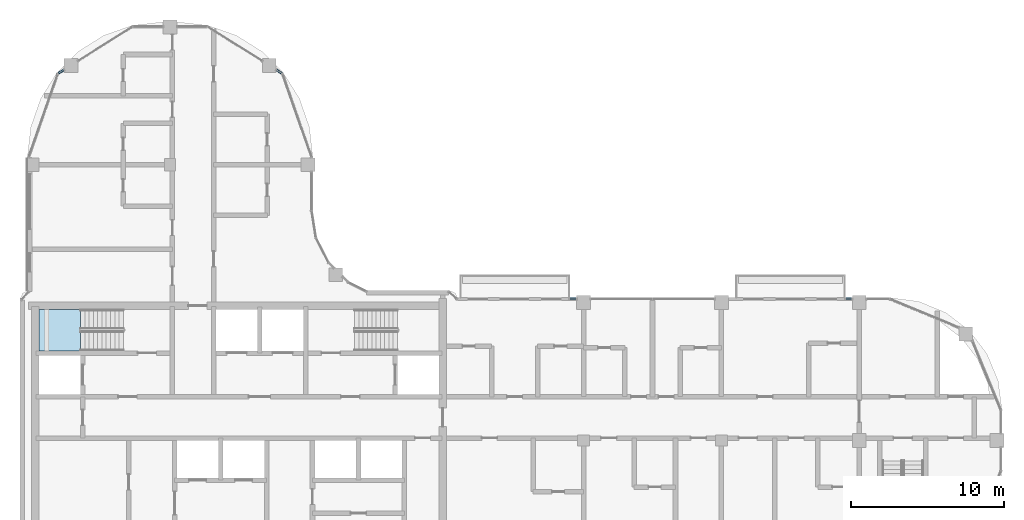
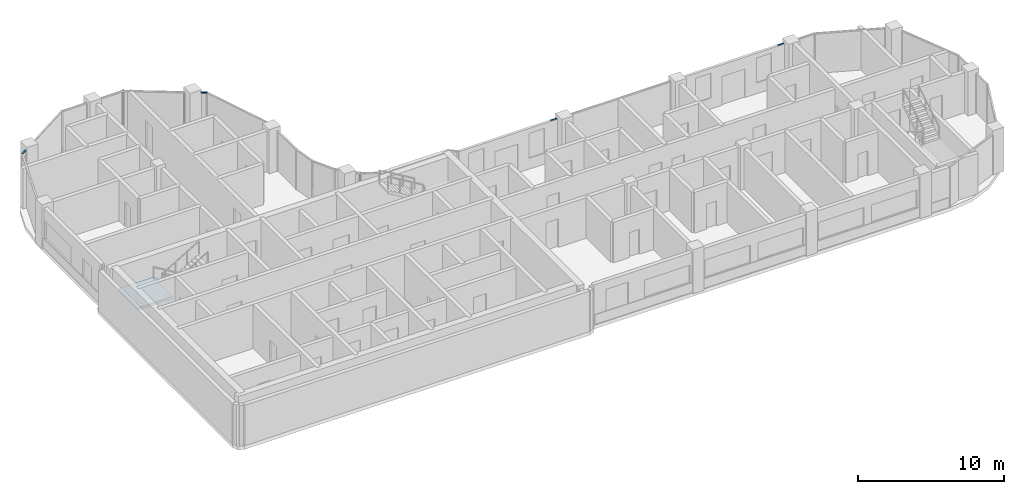
# One storey, part 5 of 19: 4 members, 1 slab, 5 elements without a shape of their own.
"""IFC4 building model written with IfcOpenShell, lengths in metres."""

from ifc_helpers import new_model, si_unit, direction, frame, origin, origin_2d, place, context, subcontext, project, spatial, polyline, rectangle, outline, extrude, material, layer, layer_set, material_profile, profile_set, type_object, element, aggregate, save


model = new_model("IFC4")

# Units and contexts
model_context = context("Model", 3, precision=1e-05, world=origin(), true_north=direction((0.0, 1.0)))
body_context = subcontext(model_context, "Body", "Model", "MODEL_VIEW")
ifc_project = project(units=[si_unit("LENGTHUNIT", "METRE"), si_unit("AREAUNIT", "SQUARE_METRE"), si_unit("VOLUMEUNIT", "CUBIC_METRE"), si_unit("PLANEANGLEUNIT", "RADIAN"), si_unit("MASSUNIT", "GRAM", prefix="KILO")], contexts=[model_context])

# Site, building, storey
site_placement = place(None, origin())
site = spatial("IfcSite", under=ifc_project, at=site_placement, CompositionType="ELEMENT")
building_placement = place(site_placement, origin())
building = spatial("IfcBuilding", under=site, at=building_placement, Name="Ogive Portal Towers", CompositionType="ELEMENT")
storey_placement = place(building_placement, frame((0.0, 0.0, 218.0)))
storey = spatial("IfcBuildingStorey", under=building, at=storey_placement, Name="L54", CompositionType="ELEMENT", Elevation=218.0)

# Curtain wall, member
ifc_material_1 = material(Name="Glass, clear low-iron insulated glazing", Category="glass")
curtain_wall_type = type_object("IfcCurtainWallType", Name="CW FRONT RIBBON 4500", PredefinedType="NOTDEFINED", material=ifc_material_1)
curtain_wall_1_placement = place(storey_placement, origin())
curtain_wall_1 = element("IfcCurtainWall", 1, at=curtain_wall_1_placement, inside=storey, type_object=curtain_wall_type, Name="A:L54:f26:cw0~1", PredefinedType="NOTDEFINED")
ifc_material_2 = material(Name="Aluminium 6063 anodised", Category="aluminium")
ifc_material_profile = material_profile(ifc_material_2, rectangle(XDim=0.1201171875, YDim=0.06005859375, at=origin_2d()), Name="AL 120x60")
ifc_profile_set = profile_set([ifc_material_profile], Name="Aluminium 6063 anodised")
member_type = type_object("IfcMemberType", Name="CW TRANSOM 60x120", PredefinedType="USERDEFINED", material=ifc_profile_set)
member_1_placement = place(storey_placement, frame((85.050048828125, 39.739990234375, 3.3701171875), z_axis=(-1.0, 0.0, 0.0), x_axis=(0.0, -1.0, 0.0)))
member_1 = element("IfcMember", 2, at=member_1_placement, type_object=member_type, Name="transom", ObjectType="TRANSOM", PredefinedType="USERDEFINED", context=body_context, shape_type="SweptSolid", body=[
    extrude(rectangle(XDim=0.1201171875, YDim=0.06005859375, at=origin_2d()), origin(), (0.0, 0.0, 1.0), 0.46728515625),
])
aggregate(curtain_wall_1, [member_1])

curtain_wall_2_placement = place(storey_placement, origin())
curtain_wall_2 = element("IfcCurtainWall", 3, at=curtain_wall_2_placement, inside=storey, type_object=curtain_wall_type, Name="A:L54:f26:cw1~1", PredefinedType="NOTDEFINED")
member_2_placement = place(storey_placement, frame((67.050048828125, 39.739990234375, 3.3701171875), z_axis=(-1.0, 0.0, 0.0), x_axis=(0.0, -1.0, 0.0)))
member_2 = element("IfcMember", 4, at=member_2_placement, type_object=member_type, Name="transom", ObjectType="TRANSOM", PredefinedType="USERDEFINED", context=body_context, shape_type="SweptSolid", body=[
    extrude(rectangle(XDim=0.1201171875, YDim=0.06005859375, at=origin_2d()), origin(), (0.0, 0.0, 1.0), 0.47607421875),
])
aggregate(curtain_wall_2, [member_2])

curtain_wall_3_placement = place(storey_placement, origin())
curtain_wall_3 = element("IfcCurtainWall", 5, at=curtain_wall_3_placement, inside=storey, type_object=curtain_wall_type, Name="A:L54:f07:cwa~0", PredefinedType="NOTDEFINED")
member_3_placement = place(storey_placement, frame((47.82958984375, 54.4462890625, 3.3701171875), z_axis=(-0.846767460027, 0.531963221134, 0.0), x_axis=(-0.531963221134, -0.846767460027, 0.0)))
member_3 = element("IfcMember", 6, at=member_3_placement, type_object=member_type, Name="transom", ObjectType="TRANSOM", PredefinedType="USERDEFINED", context=body_context, shape_type="SweptSolid", body=[
    extrude(rectangle(XDim=0.1201171875, YDim=0.06005859375, at=origin_2d()), origin(), (0.0, 0.0, 1.0), 0.47998046875),
])
aggregate(curtain_wall_3, [member_3])

curtain_wall_4_placement = place(storey_placement, origin())
curtain_wall_4 = element("IfcCurtainWall", 7, at=curtain_wall_4_placement, inside=storey, type_object=curtain_wall_type, Name="A:L54:f07:cwa~3", PredefinedType="NOTDEFINED")
member_4_placement = place(storey_placement, frame((33.576904296875, 54.70166015625, 3.3701171875), z_axis=(-0.846767460027, -0.531963221134, 0.0), x_axis=(0.531963221134, -0.846767460027, 0.0)))
member_4 = element("IfcMember", 8, at=member_4_placement, type_object=member_type, Name="transom", ObjectType="TRANSOM", PredefinedType="USERDEFINED", context=body_context, shape_type="SweptSolid", body=[
    extrude(rectangle(XDim=0.1201171875, YDim=0.06005859375, at=origin_2d()), origin(), (0.0, 0.0, 1.0), 0.47998046875),
])
aggregate(curtain_wall_4, [member_4])

# Stair, slab
ifc_material_3 = material(Name="Concrete C40/50", Category="concrete")
stair_type = type_object("IfcStairType", Name="INT-STAIR", PredefinedType="HALF_TURN_STAIR", material=ifc_material_3)
stair_placement = place(storey_placement, origin())
stair = element("IfcStair", 9, at=stair_placement, inside=storey, type_object=stair_type, Name="L54 Exit Stair ST-A1", PredefinedType="HALF_TURN_STAIR")
ifc_layer = layer(ifc_material_3, 0.199951171875)
ifc_layer_set = layer_set([ifc_layer], Name="INT-LANDING")
slab_type = type_object("IfcSlabType", Name="INT-LANDING", PredefinedType="LANDING", material=ifc_layer_set)
slab_placement = place(storey_placement, frame((0.0, 0.0, 1.64990234375)))
slab = element("IfcSlab", 10, at=slab_placement, type_object=slab_type, Name="ST-A1 landing 1", PredefinedType="LANDING", context=body_context, shape_type="SweptSolid", body=[
    extrude(outline(polyline([(34.64990234375, 39.050048828125), (31.949951171875, 39.050048828125), (31.949951171875, 36.35009765625), (34.64990234375, 36.35009765625), (34.64990234375, 39.050048828125)])), origin(), (0.0, 0.0, 1.0), 0.2001953125),
])
aggregate(stair, [slab])

save(model, "model.ifc")
